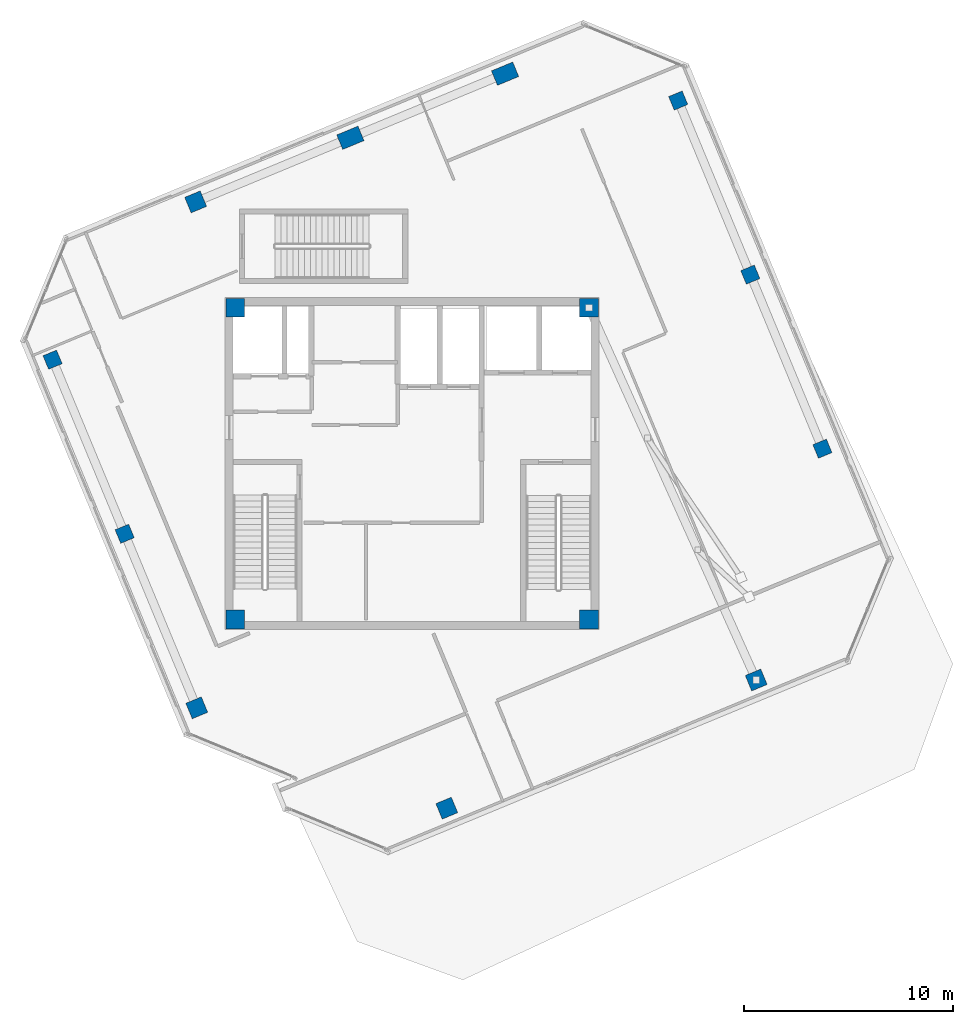
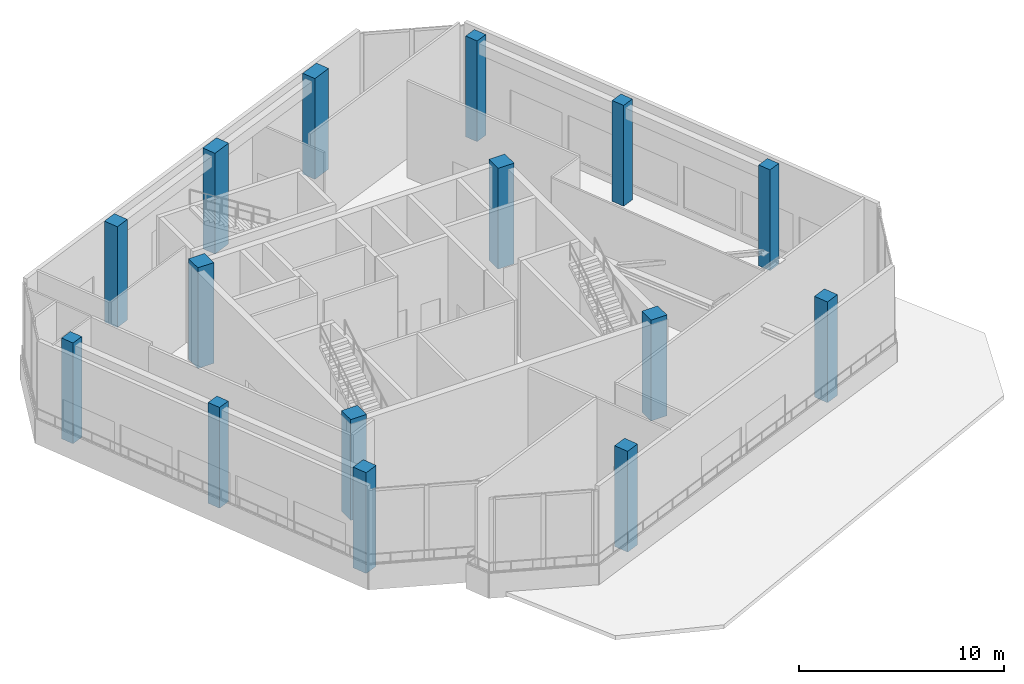
# One storey, part 1 of 16: 15 columns.
"""IFC4 building model written with IfcOpenShell, lengths in metres."""

from ifc_helpers import new_model, si_unit, direction, frame, origin, origin_2d, place, context, subcontext, project, spatial, rectangle, extrude, source, transform, mapped, material, material_profile, profile_set, type_object, element, save


model = new_model("IFC4")

# Units and contexts
model_context = context("Model", 3, precision=1e-05, world=origin(), true_north=direction((0.0, 1.0)))
body_context = subcontext(model_context, "Body", "Model", "MODEL_VIEW")
ifc_project = project(units=[si_unit("LENGTHUNIT", "METRE"), si_unit("AREAUNIT", "SQUARE_METRE"), si_unit("VOLUMEUNIT", "CUBIC_METRE"), si_unit("PLANEANGLEUNIT", "RADIAN"), si_unit("MASSUNIT", "GRAM", prefix="KILO")], contexts=[model_context])

# Site, building, storey
site_placement = place(None, origin())
site = spatial("IfcSite", under=ifc_project, at=site_placement, CompositionType="ELEMENT")
building_placement = place(site_placement, origin())
building = spatial("IfcBuilding", under=site, at=building_placement, Name="Torre Montelarca", CompositionType="ELEMENT")
storey_placement = place(building_placement, frame((0.0, 0.0, 349.199951171875)))
storey = spatial("IfcBuildingStorey", under=building, at=storey_placement, Name="L79", CompositionType="ELEMENT", Elevation=349.199951171875)

# Columns
ifc_material_1 = material(Name="Concrete C55/67", Category="concrete")
ifc_material_profile_1 = material_profile(ifc_material_1, rectangle(XDim=0.89990234375, YDim=0.89990234375, at=origin_2d()), Name="RC900X900", Category="concrete")
ifc_profile_set_1 = profile_set([ifc_material_profile_1], Name="Concrete C55/67")
column_type_1 = type_object("IfcColumnType", Name="COL-RC900", PredefinedType="COLUMN", material=ifc_profile_set_1)
shared_shape_1 = source(origin(), body_context, "Body", "SweptSolid", [
    extrude(rectangle(XDim=0.89990234375, YDim=0.89990234375, at=origin_2d()), origin(), (0.0, 0.0, 1.0), 5.99853515625),
])
for number, where, z_axis, x_axis, name in (
    (1, (9.550048828125, 24.550048828125, 0.000732421875), (0.0, 0.0, 1.0), (1.0, 0.0, 0.0), "L79 Plumb Core Corner Column 2D"),
    (2, (26.449951171875, 24.550048828125, 0.000732421875), (0.0, 0.0, 1.0), (1.0, 0.0, 0.0), "L79 Plumb Core Corner Column 4D"),
    (3, (9.550048828125, 39.449951171875, 0.000732421875), (0.0, 0.0, 1.0), (1.0, 0.0, 0.0), "L79 Plumb Core Corner Column 2F"),
    (4, (26.449951171875, 39.449951171875, 0.000732421875), (0.0, 0.0, 1.0), (1.0, 0.0, 0.0), "L79 Plumb Core Corner Column 4F"),
):
    element("IfcColumn", number, at=place(storey_placement, frame(where, z_axis=z_axis, x_axis=x_axis)), inside=storey, type_object=column_type_1, Name=name, PredefinedType="COLUMN", context=body_context, shape_type="MappedRepresentation", body=[
        mapped(shared_shape_1, transform((0.0, 0.0, 0.0), scale=1.0)),
    ])
ifc_material_2 = material(Name="Concrete C40/50", Category="concrete")
ifc_material_profile_2 = material_profile(ifc_material_2, rectangle(XDim=0.699951171875, YDim=0.699951171875, at=origin_2d()), Name="RC700X700", Category="concrete")
ifc_profile_set_2 = profile_set([ifc_material_profile_2], Name="Concrete C40/50")
column_type_2 = type_object("IfcColumnType", Name="COL-RC700-EXT", PredefinedType="COLUMN", material=ifc_profile_set_2)
shared_shape_2 = source(origin(), body_context, "Body", "SweptSolid", [
    extrude(rectangle(XDim=0.699951171875, YDim=0.699951171875, at=origin_2d()), origin(), (0.0, 0.0, 1.0), 5.99853515625),
])
for number, where, z_axis, x_axis, name in (
    (5, (0.82568359375, 36.96630859375, 0.000732421875), (0.0, 0.0, 1.0), (-0.382683432365, 0.923879532511, 0.0), "L79 Column 2/CS"),
    (6, (30.713134765625, 49.34619140625, 0.000732421875), (0.0, 0.0, 1.0), (-0.382683432365, 0.923879532511, 0.0), "L79 Column 2/GN"),
    (7, (4.27001953125, 28.6513671875, 0.000732421875), (0.0, 0.0, 1.0), (-0.382683432365, 0.923879532511, 0.0), "L79 Column 3/CS"),
    (8, (34.157470703125, 41.03125, 0.000732421875), (0.0, 0.0, 1.0), (-0.382683432365, 0.923879532511, 0.0), "L79 Column 3/GN"),
    (9, (37.6015625, 32.71630859375, 0.000732421875), (0.0, 0.0, 1.0), (-0.382683432365, 0.923879532511, 0.0), "L79 Column 4/GN"),
):
    element("IfcColumn", number, at=place(storey_placement, frame(where, z_axis=z_axis, x_axis=x_axis)), inside=storey, type_object=column_type_2, Name=name, PredefinedType="COLUMN", context=body_context, shape_type="MappedRepresentation", body=[
        mapped(shared_shape_2, transform((0.0, 0.0, 0.0), scale=1.0)),
    ])
ifc_material_profile_3 = material_profile(ifc_material_2, rectangle(XDim=0.800048828125, YDim=0.800048828125, at=origin_2d()), Name="RC800X800", Category="concrete")
ifc_profile_set_3 = profile_set([ifc_material_profile_3], Name="Concrete C40/50")
column_type_3 = type_object("IfcColumnType", Name="COL-RC800-EXT", PredefinedType="COLUMN", material=ifc_profile_set_3)
shared_shape_3 = source(origin(), body_context, "Body", "SweptSolid", [
    extrude(rectangle(XDim=0.800048828125, YDim=0.800048828125, at=origin_2d()), origin(), (0.0, 0.0, 1.0), 5.99853515625),
])
for number, where, z_axis, x_axis, name in (
    (10, (7.714111328125, 20.33642578125, 0.000732421875), (0.0, 0.0, 1.0), (-0.382683432365, 0.923879532511, 0.0), "L79 Column 4/CS"),
    (11, (19.657958984375, 15.542236328125, 0.000732421875), (0.0, 0.0, 1.0), (-0.382683432365, 0.923879532511, 0.0), "L79 Column 5/D"),
    (12, (34.43994140625, 21.665283203125, 0.000732421875), (0.0, 0.0, 1.0), (-0.382683432365, 0.923879532511, 0.0), "L79 Column 5/F"),
    (13, (7.66064453125, 44.505859375, 0.000732421875), (0.0, 0.0, 1.0), (-0.382683432365, 0.923879532511, 0.0), "L79 Column 1W/D"),
):
    element("IfcColumn", number, at=place(storey_placement, frame(where, z_axis=z_axis, x_axis=x_axis)), inside=storey, type_object=column_type_3, Name=name, PredefinedType="COLUMN", context=body_context, shape_type="MappedRepresentation", body=[
        mapped(shared_shape_3, transform((0.0, 0.0, 0.0), scale=1.0)),
    ])
ifc_material_profile_4 = material_profile(ifc_material_2, rectangle(XDim=0.75, YDim=1.10009765625, at=origin_2d()), Name="RC1100X750", Category="concrete")
ifc_profile_set_4 = profile_set([ifc_material_profile_4], Name="Concrete C40/50")
column_type_4 = type_object("IfcColumnType", Name="COL-PIL1100-EXT", PredefinedType="PILASTER", material=ifc_profile_set_4)
shared_shape_4 = source(origin(), body_context, "Body", "SweptSolid", [
    extrude(rectangle(XDim=0.75, YDim=1.10009765625, at=origin_2d()), origin(), (0.0, 0.0, 1.0), 5.99853515625),
])
for number, where, z_axis, x_axis, name in (
    (14, (15.0517578125, 47.5673828125, 0.000732421875), (0.0, 0.0, 1.0), (-0.382683432365, 0.923879532511, 0.0), "L79 Column 1W/E"),
    (15, (22.44287109375, 50.62890625, 0.000732421875), (0.0, 0.0, 1.0), (-0.382683432365, 0.923879532511, 0.0), "L79 Column 1W/F"),
):
    element("IfcColumn", number, at=place(storey_placement, frame(where, z_axis=z_axis, x_axis=x_axis)), inside=storey, type_object=column_type_4, Name=name, PredefinedType="PILASTER", context=body_context, shape_type="MappedRepresentation", body=[
        mapped(shared_shape_4, transform((0.0, 0.0, 0.0), scale=1.0)),
    ])

save(model, "model.ifc")
